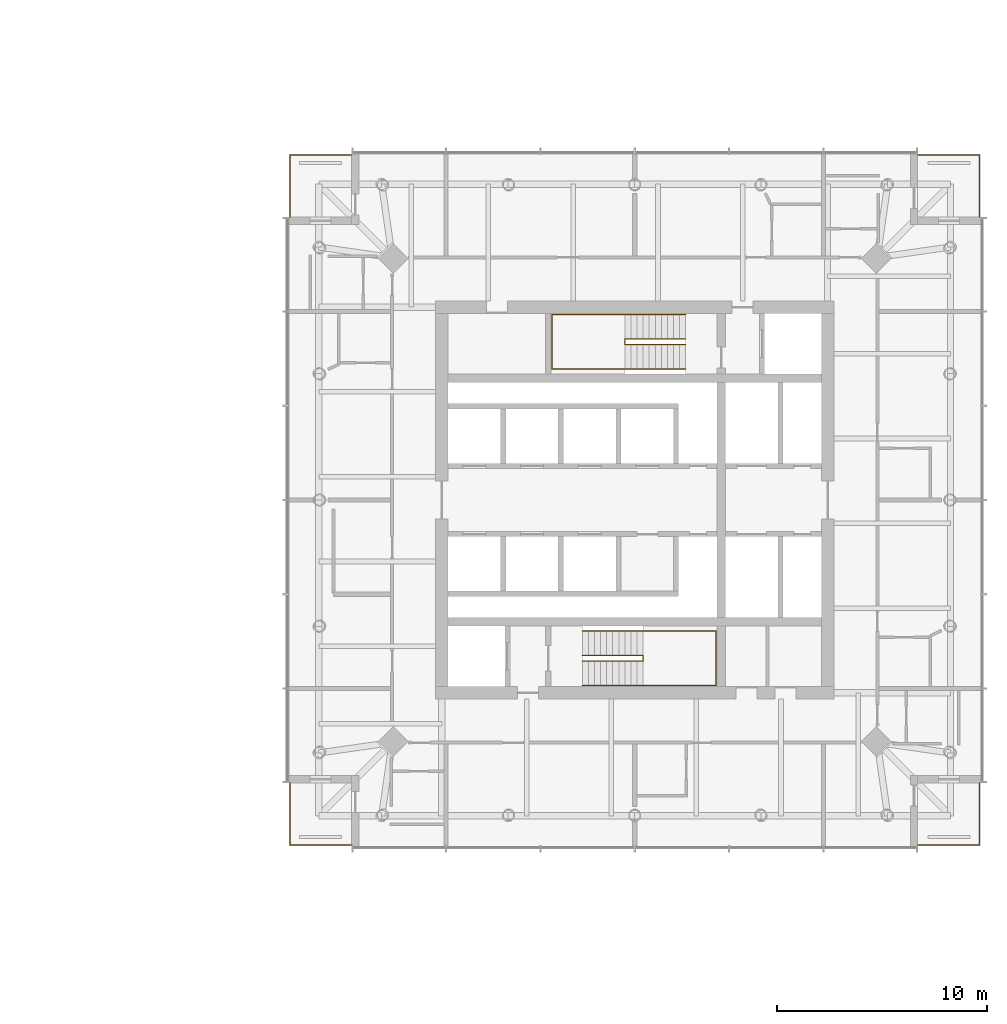
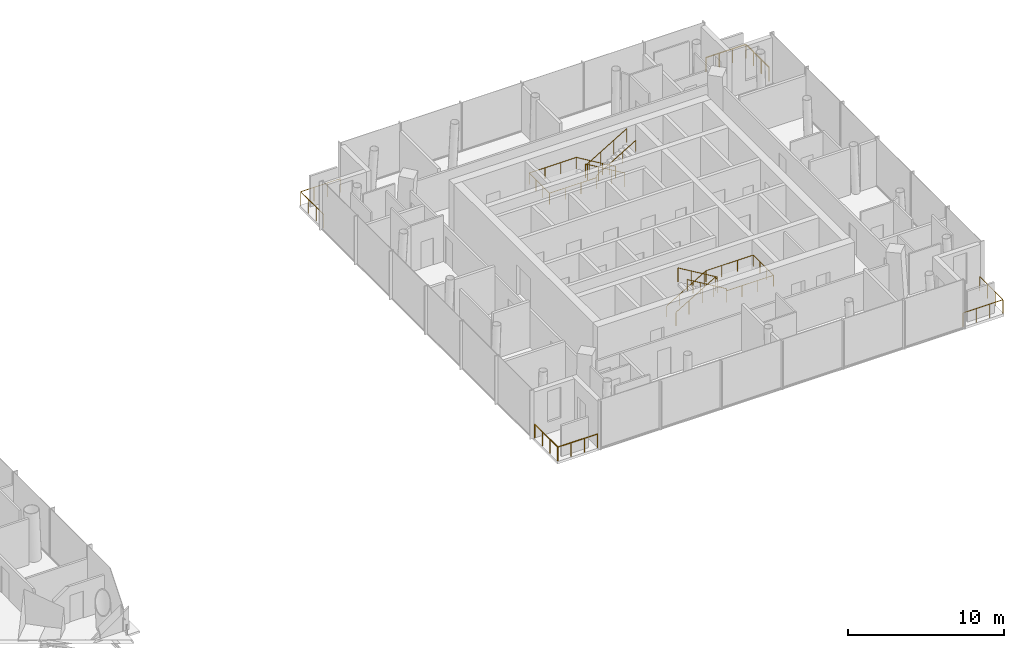
# One storey, part 27 of 27: 8 railings.
"""IFC4 building model written with IfcOpenShell, lengths in metres."""

from ifc_helpers import new_model, si_unit, direction, frame, origin, origin_2d, place, context, subcontext, project, spatial, circle, extrude, material, type_object, element, save


model = new_model("IFC4")

# Units and contexts
model_context = context("Model", 3, precision=1e-05, world=origin(), true_north=direction((0.0, 1.0)))
body_context = subcontext(model_context, "Body", "Model", "MODEL_VIEW")
ifc_project = project(units=[si_unit("LENGTHUNIT", "METRE"), si_unit("AREAUNIT", "SQUARE_METRE"), si_unit("VOLUMEUNIT", "CUBIC_METRE"), si_unit("PLANEANGLEUNIT", "RADIAN"), si_unit("MASSUNIT", "GRAM", prefix="KILO")], contexts=[model_context])

# Site, building, storey
site_placement = place(None, origin())
site = spatial("IfcSite", under=ifc_project, at=site_placement, CompositionType="ELEMENT")
building_placement = place(site_placement, origin())
building = spatial("IfcBuilding", under=site, at=building_placement, Name="Ostroluk Exchange", CompositionType="ELEMENT")
storey_placement = place(building_placement, frame((0.0, 0.0, 112.199951171875)))
storey = spatial("IfcBuildingStorey", under=building, at=storey_placement, Name="L28", CompositionType="ELEMENT", Elevation=112.199951171875)

# Railings
ifc_material_1 = material(Name="Stainless steel", Category="steel")
railing_type_1 = type_object("IfcRailingType", Name="Guard 1100 stainless steel", PredefinedType="GUARDRAIL", material=ifc_material_1)
railing_1_placement = place(storey_placement, frame((130.5, 29.550048828125, 0.0)))
element("IfcRailing", 1, at=railing_1_placement, inside=storey, type_object=railing_type_1, Name="Hotel tower SE balcony guard L28", PredefinedType="GUARDRAIL", context=body_context, shape_type="SweptSolid", body=[
    extrude(circle(Radius=0.02392578125, at=origin_2d()), frame((0.0, 0.0, 1.076171875), z_axis=(1.0, 0.0, 0.0), x_axis=(0.0, 1.0, 0.0)), (0.0, 0.0, 1.0), 2.949951171875),
    extrude(circle(Radius=0.02392578125, at=origin_2d()), frame((2.949951171875, 0.0, 1.076171875), z_axis=(0.0, 1.0, 0.0), x_axis=(-1.0, 0.0, 0.0)), (0.0, 0.0, 1.0), 2.949951171875),
    extrude(circle(Radius=0.02099609375, at=origin_2d()), origin(), (0.0, 0.0, 1.0), 1.052001953125),
    extrude(circle(Radius=0.02099609375, at=origin_2d()), frame((0.9833984375, 0.0, 0.0)), (0.0, 0.0, 1.0), 1.052001953125),
    extrude(circle(Radius=0.02099609375, at=origin_2d()), frame((1.966552734375, 0.0, 0.0)), (0.0, 0.0, 1.0), 1.052001953125),
    extrude(circle(Radius=0.02099609375, at=origin_2d()), frame((2.949951171875, 0.0, 0.0)), (0.0, 0.0, 1.0), 1.052001953125),
    extrude(circle(Radius=0.02099609375, at=origin_2d()), frame((2.949951171875, 0.9833984375, 0.0)), (0.0, 0.0, 1.0), 1.052001953125),
    extrude(circle(Radius=0.02099609375, at=origin_2d()), frame((2.949951171875, 1.966552734375, 0.0)), (0.0, 0.0, 1.0), 1.052001953125),
    extrude(circle(Radius=0.02099609375, at=origin_2d()), frame((2.949951171875, 2.949951171875, 0.0)), (0.0, 0.0, 1.0), 1.052001953125),
])
railing_2_placement = place(storey_placement, frame((130.5, 62.449951171875, 0.0)))
element("IfcRailing", 2, at=railing_2_placement, inside=storey, type_object=railing_type_1, Name="Hotel tower NE balcony guard L28", PredefinedType="GUARDRAIL", context=body_context, shape_type="SweptSolid", body=[
    extrude(circle(Radius=0.02392578125, at=origin_2d()), frame((0.0, 0.0, 1.076171875), z_axis=(1.0, 0.0, 0.0), x_axis=(0.0, 1.0, 0.0)), (0.0, 0.0, 1.0), 2.949951171875),
    extrude(circle(Radius=0.02392578125, at=origin_2d()), frame((2.949951171875, 0.0, 1.076171875), z_axis=(0.0, -1.0, 0.0), x_axis=(1.0, 0.0, 0.0)), (0.0, 0.0, 1.0), 2.949951171875),
    extrude(circle(Radius=0.02099609375, at=origin_2d()), origin(), (0.0, 0.0, 1.0), 1.052001953125),
    extrude(circle(Radius=0.02099609375, at=origin_2d()), frame((0.9833984375, 0.0, 0.0)), (0.0, 0.0, 1.0), 1.052001953125),
    extrude(circle(Radius=0.02099609375, at=origin_2d()), frame((1.966552734375, 0.0, 0.0)), (0.0, 0.0, 1.0), 1.052001953125),
    extrude(circle(Radius=0.02099609375, at=origin_2d()), frame((2.949951171875, 0.0, 0.0)), (0.0, 0.0, 1.0), 1.052001953125),
    extrude(circle(Radius=0.02099609375, at=origin_2d()), frame((2.949951171875, -0.9833984375, 0.0)), (0.0, 0.0, 1.0), 1.052001953125),
    extrude(circle(Radius=0.02099609375, at=origin_2d()), frame((2.949951171875, -1.966552734375, 0.0)), (0.0, 0.0, 1.0), 1.052001953125),
    extrude(circle(Radius=0.02099609375, at=origin_2d()), frame((2.949951171875, -2.949951171875, 0.0)), (0.0, 0.0, 1.0), 1.052001953125),
])
railing_3_placement = place(storey_placement, frame((103.5, 62.449951171875, 0.0)))
element("IfcRailing", 3, at=railing_3_placement, inside=storey, type_object=railing_type_1, Name="Hotel tower NW balcony guard L28", PredefinedType="GUARDRAIL", context=body_context, shape_type="SweptSolid", body=[
    extrude(circle(Radius=0.02392578125, at=origin_2d()), frame((0.0, 0.0, 1.076171875), z_axis=(-1.0, 0.0, 0.0), x_axis=(0.0, -1.0, 0.0)), (0.0, 0.0, 1.0), 2.949951171875),
    extrude(circle(Radius=0.02392578125, at=origin_2d()), frame((-2.949951171875, 0.0, 1.076171875), z_axis=(0.0, -1.0, 0.0), x_axis=(1.0, 0.0, 0.0)), (0.0, 0.0, 1.0), 2.949951171875),
    extrude(circle(Radius=0.02099609375, at=origin_2d()), origin(), (0.0, 0.0, 1.0), 1.052001953125),
    extrude(circle(Radius=0.02099609375, at=origin_2d()), frame((-0.9833984375, 0.0, 0.0)), (0.0, 0.0, 1.0), 1.052001953125),
    extrude(circle(Radius=0.02099609375, at=origin_2d()), frame((-1.966552734375, 0.0, 0.0)), (0.0, 0.0, 1.0), 1.052001953125),
    extrude(circle(Radius=0.02099609375, at=origin_2d()), frame((-2.949951171875, 0.0, 0.0)), (0.0, 0.0, 1.0), 1.052001953125),
    extrude(circle(Radius=0.02099609375, at=origin_2d()), frame((-2.949951171875, -0.9833984375, 0.0)), (0.0, 0.0, 1.0), 1.052001953125),
    extrude(circle(Radius=0.02099609375, at=origin_2d()), frame((-2.949951171875, -1.966552734375, 0.0)), (0.0, 0.0, 1.0), 1.052001953125),
    extrude(circle(Radius=0.02099609375, at=origin_2d()), frame((-2.949951171875, -2.949951171875, 0.0)), (0.0, 0.0, 1.0), 1.052001953125),
])
railing_4_placement = place(storey_placement, frame((103.5, 29.550048828125, 0.0)))
element("IfcRailing", 4, at=railing_4_placement, inside=storey, type_object=railing_type_1, Name="Hotel tower SW balcony guard L28", PredefinedType="GUARDRAIL", context=body_context, shape_type="SweptSolid", body=[
    extrude(circle(Radius=0.02392578125, at=origin_2d()), frame((0.0, 0.0, 1.076171875), z_axis=(-1.0, 0.0, 0.0), x_axis=(0.0, -1.0, 0.0)), (0.0, 0.0, 1.0), 2.949951171875),
    extrude(circle(Radius=0.02392578125, at=origin_2d()), frame((-2.949951171875, 0.0, 1.076171875), z_axis=(0.0, 1.0, 0.0), x_axis=(-1.0, 0.0, 0.0)), (0.0, 0.0, 1.0), 2.949951171875),
    extrude(circle(Radius=0.02099609375, at=origin_2d()), origin(), (0.0, 0.0, 1.0), 1.052001953125),
    extrude(circle(Radius=0.02099609375, at=origin_2d()), frame((-0.9833984375, 0.0, 0.0)), (0.0, 0.0, 1.0), 1.052001953125),
    extrude(circle(Radius=0.02099609375, at=origin_2d()), frame((-1.966552734375, 0.0, 0.0)), (0.0, 0.0, 1.0), 1.052001953125),
    extrude(circle(Radius=0.02099609375, at=origin_2d()), frame((-2.949951171875, 0.0, 0.0)), (0.0, 0.0, 1.0), 1.052001953125),
    extrude(circle(Radius=0.02099609375, at=origin_2d()), frame((-2.949951171875, 0.9833984375, 0.0)), (0.0, 0.0, 1.0), 1.052001953125),
    extrude(circle(Radius=0.02099609375, at=origin_2d()), frame((-2.949951171875, 1.966552734375, 0.0)), (0.0, 0.0, 1.0), 1.052001953125),
    extrude(circle(Radius=0.02099609375, at=origin_2d()), frame((-2.949951171875, 2.949951171875, 0.0)), (0.0, 0.0, 1.0), 1.052001953125),
])
ifc_material_2 = material(Name="Steel S355", Category="steel")
railing_type_2 = type_object("IfcRailingType", Name="Stair guard 1100", PredefinedType="GUARDRAIL", material=ifc_material_2)
railing_5_placement = place(storey_placement, frame((114.5, 38.580078125, 0.1728515625)))
element("IfcRailing", 5, at=railing_5_placement, inside=storey, type_object=railing_type_2, Name="Stair T2-S1 guard L28", PredefinedType="GUARDRAIL", context=body_context, shape_type="SweptSolid", body=[
    extrude(circle(Radius=0.02392578125, at=origin_2d()), frame((0.0, 0.0, 1.076171875), z_axis=(0.859141464434, 0.0, 0.511738159696), x_axis=(0.0, 1.0, 0.0)), (0.0, 0.0, 1.0), 3.375244140625),
    extrude(circle(Radius=0.02392578125, at=origin_2d()), frame((2.89990234375, 0.0, 2.80322265625), z_axis=(0.0, -1.0, 0.0), x_axis=(1.0, 0.0, 0.0)), (0.0, 0.0, 1.0), 0.260009765625),
    extrude(circle(Radius=0.02392578125, at=origin_2d()), frame((2.89990234375, -0.260009765625, 2.80322265625), z_axis=(0.0, 0.0, 1.0), x_axis=(1.0, 0.0, 0.0)), (0.0, 0.0, 1.0), 0.172607421875),
    extrude(circle(Radius=0.02392578125, at=origin_2d()), frame((2.89990234375, -0.260009765625, 2.97607421875), z_axis=(-0.859141464434, 0.0, 0.511738159696), x_axis=(0.0, -1.0, 0.0)), (0.0, 0.0, 1.0), 3.375244140625),
    extrude(circle(Radius=0.02099609375, at=origin_2d()), origin(), (0.0, 0.0, 1.0), 1.052001953125),
    extrude(circle(Radius=0.02099609375, at=origin_2d()), frame((0.966552734375, 0.0, 0.57568359375)), (0.0, 0.0, 1.0), 1.052001953125),
    extrude(circle(Radius=0.02099609375, at=origin_2d()), frame((1.933349609375, 0.0, 1.151611328125)), (0.0, 0.0, 1.0), 1.052001953125),
    extrude(circle(Radius=0.02099609375, at=origin_2d()), frame((2.89990234375, 0.0, 1.727294921875)), (0.0, 0.0, 1.0), 1.052001953125),
    extrude(circle(Radius=0.02099609375, at=origin_2d()), frame((2.89990234375, -0.260009765625, 1.727294921875)), (0.0, 0.0, 1.0), 1.052001953125),
    extrude(circle(Radius=0.02099609375, at=origin_2d()), frame((2.89990234375, -0.260009765625, 1.89990234375)), (0.0, 0.0, 1.0), 1.052001953125),
    extrude(circle(Radius=0.02099609375, at=origin_2d()), frame((1.933349609375, -0.260009765625, 2.4755859375)), (0.0, 0.0, 1.0), 1.052001953125),
    extrude(circle(Radius=0.02099609375, at=origin_2d()), frame((0.966552734375, -0.260009765625, 3.051513671875)), (0.0, 0.0, 1.0), 1.052001953125),
    extrude(circle(Radius=0.02099609375, at=origin_2d()), frame((0.0, -0.260009765625, 3.627197265625)), (0.0, 0.0, 1.0), 1.052001953125),
])
railing_6_placement = place(storey_placement, frame((119.429931640625, 53.679931640625, 0.1728515625)))
element("IfcRailing", 6, at=railing_6_placement, inside=storey, type_object=railing_type_2, Name="Stair T2-S2 guard L28", PredefinedType="GUARDRAIL", context=body_context, shape_type="SweptSolid", body=[
    extrude(circle(Radius=0.02392578125, at=origin_2d()), frame((0.0, 0.0, 1.076171875), z_axis=(-0.859141464434, 0.0, 0.511738159696), x_axis=(0.0, -1.0, 0.0)), (0.0, 0.0, 1.0), 3.375244140625),
    extrude(circle(Radius=0.02392578125, at=origin_2d()), frame((-2.89990234375, 0.0, 2.80322265625), z_axis=(0.0, -1.0, 0.0), x_axis=(1.0, 0.0, 0.0)), (0.0, 0.0, 1.0), 0.260009765625),
    extrude(circle(Radius=0.02392578125, at=origin_2d()), frame((-2.89990234375, -0.260009765625, 2.80322265625), z_axis=(0.0, 0.0, 1.0), x_axis=(1.0, 0.0, 0.0)), (0.0, 0.0, 1.0), 0.172607421875),
    extrude(circle(Radius=0.02392578125, at=origin_2d()), frame((-2.89990234375, -0.260009765625, 2.97607421875), z_axis=(0.859141464434, 0.0, 0.511738159696), x_axis=(0.0, 1.0, 0.0)), (0.0, 0.0, 1.0), 3.375244140625),
    extrude(circle(Radius=0.02099609375, at=origin_2d()), origin(), (0.0, 0.0, 1.0), 1.052001953125),
    extrude(circle(Radius=0.02099609375, at=origin_2d()), frame((-0.966552734375, 0.0, 0.57568359375)), (0.0, 0.0, 1.0), 1.052001953125),
    extrude(circle(Radius=0.02099609375, at=origin_2d()), frame((-1.933349609375, 0.0, 1.151611328125)), (0.0, 0.0, 1.0), 1.052001953125),
    extrude(circle(Radius=0.02099609375, at=origin_2d()), frame((-2.89990234375, 0.0, 1.727294921875)), (0.0, 0.0, 1.0), 1.052001953125),
    extrude(circle(Radius=0.02099609375, at=origin_2d()), frame((-2.89990234375, -0.260009765625, 1.727294921875)), (0.0, 0.0, 1.0), 1.052001953125),
    extrude(circle(Radius=0.02099609375, at=origin_2d()), frame((-2.89990234375, -0.260009765625, 1.89990234375)), (0.0, 0.0, 1.0), 1.052001953125),
    extrude(circle(Radius=0.02099609375, at=origin_2d()), frame((-1.933349609375, -0.260009765625, 2.4755859375)), (0.0, 0.0, 1.0), 1.052001953125),
    extrude(circle(Radius=0.02099609375, at=origin_2d()), frame((-0.966552734375, -0.260009765625, 3.051513671875)), (0.0, 0.0, 1.0), 1.052001953125),
    extrude(circle(Radius=0.02099609375, at=origin_2d()), frame((0.0, -0.260009765625, 3.627197265625)), (0.0, 0.0, 1.0), 1.052001953125),
])
ifc_material_3 = material(Name="Stainless steel", Category="steel")
railing_type_3 = type_object("IfcRailingType", Name="Stair handrail 900", PredefinedType="HANDRAIL", material=ifc_material_3)
railing_7_placement = place(storey_placement, frame((114.5, 39.75, 0.1728515625)))
element("IfcRailing", 7, at=railing_7_placement, inside=storey, type_object=railing_type_3, Name="Stair T2-S1 handrail L28", PredefinedType="HANDRAIL", context=body_context, shape_type="SweptSolid", body=[
    extrude(circle(Radius=0.02392578125, at=origin_2d()), frame((0.0, 0.0, 0.8759765625), z_axis=(0.859141464434, 0.0, 0.511738159696), x_axis=(0.0, 1.0, 0.0)), (0.0, 0.0, 1.0), 3.375244140625),
    extrude(circle(Radius=0.02392578125, at=origin_2d()), frame((2.89990234375, 0.0, 2.60302734375), z_axis=(1.0, 0.0, 0.0), x_axis=(0.0, 1.0, 0.0)), (0.0, 0.0, 1.0), 3.47998046875),
    extrude(circle(Radius=0.02392578125, at=origin_2d()), frame((6.3798828125, 0.0, 2.60302734375), z_axis=(0.0, -1.0, 0.0), x_axis=(1.0, 0.0, 0.0)), (0.0, 0.0, 1.0), 2.60009765625),
    extrude(circle(Radius=0.02392578125, at=origin_2d()), frame((6.3798828125, -2.60009765625, 2.60302734375), z_axis=(-1.0, 0.0, 0.0), x_axis=(0.0, -1.0, 0.0)), (0.0, 0.0, 1.0), 3.47998046875),
    extrude(circle(Radius=0.02392578125, at=origin_2d()), frame((2.89990234375, -2.60009765625, 2.60302734375), z_axis=(0.0, 0.0, 1.0), x_axis=(1.0, 0.0, 0.0)), (0.0, 0.0, 1.0), 0.172607421875),
    extrude(circle(Radius=0.02392578125, at=origin_2d()), frame((2.89990234375, -2.60009765625, 2.77587890625), z_axis=(-0.859141464434, 0.0, 0.511738159696), x_axis=(0.0, -1.0, 0.0)), (0.0, 0.0, 1.0), 3.375244140625),
    extrude(circle(Radius=0.02099609375, at=origin_2d()), origin(), (0.0, 0.0, 1.0), 0.851806640625),
    extrude(circle(Radius=0.02099609375, at=origin_2d()), frame((0.966552734375, 0.0, 0.57568359375)), (0.0, 0.0, 1.0), 0.851806640625),
    extrude(circle(Radius=0.02099609375, at=origin_2d()), frame((1.933349609375, 0.0, 1.151611328125)), (0.0, 0.0, 1.0), 0.851806640625),
    extrude(circle(Radius=0.02099609375, at=origin_2d()), frame((2.89990234375, 0.0, 1.727294921875)), (0.0, 0.0, 1.0), 0.851806640625),
    extrude(circle(Radius=0.02099609375, at=origin_2d()), frame((4.059814453125, 0.0, 1.727294921875)), (0.0, 0.0, 1.0), 0.851806640625),
    extrude(circle(Radius=0.02099609375, at=origin_2d()), frame((5.219970703125, 0.0, 1.727294921875)), (0.0, 0.0, 1.0), 0.851806640625),
    extrude(circle(Radius=0.02099609375, at=origin_2d()), frame((6.3798828125, 0.0, 1.727294921875)), (0.0, 0.0, 1.0), 0.851806640625),
    extrude(circle(Radius=0.02099609375, at=origin_2d()), frame((6.3798828125, -0.86669921875, 1.727294921875)), (0.0, 0.0, 1.0), 0.851806640625),
    extrude(circle(Radius=0.02099609375, at=origin_2d()), frame((6.3798828125, -1.7333984375, 1.727294921875)), (0.0, 0.0, 1.0), 0.851806640625),
    extrude(circle(Radius=0.02099609375, at=origin_2d()), frame((6.3798828125, -2.60009765625, 1.727294921875)), (0.0, 0.0, 1.0), 0.851806640625),
    extrude(circle(Radius=0.02099609375, at=origin_2d()), frame((5.219970703125, -2.60009765625, 1.727294921875)), (0.0, 0.0, 1.0), 0.851806640625),
    extrude(circle(Radius=0.02099609375, at=origin_2d()), frame((4.059814453125, -2.60009765625, 1.727294921875)), (0.0, 0.0, 1.0), 0.851806640625),
    extrude(circle(Radius=0.02099609375, at=origin_2d()), frame((2.89990234375, -2.60009765625, 1.727294921875)), (0.0, 0.0, 1.0), 0.851806640625),
    extrude(circle(Radius=0.02099609375, at=origin_2d()), frame((2.89990234375, -2.60009765625, 1.89990234375)), (0.0, 0.0, 1.0), 0.851806640625),
    extrude(circle(Radius=0.02099609375, at=origin_2d()), frame((1.933349609375, -2.60009765625, 2.4755859375)), (0.0, 0.0, 1.0), 0.851806640625),
    extrude(circle(Radius=0.02099609375, at=origin_2d()), frame((0.966552734375, -2.60009765625, 3.051513671875)), (0.0, 0.0, 1.0), 0.851806640625),
    extrude(circle(Radius=0.02099609375, at=origin_2d()), frame((0.0, -2.60009765625, 3.627197265625)), (0.0, 0.0, 1.0), 0.851806640625),
])
railing_8_placement = place(storey_placement, frame((119.429931640625, 54.85009765625, 0.1728515625)))
element("IfcRailing", 8, at=railing_8_placement, inside=storey, type_object=railing_type_3, Name="Stair T2-S2 handrail L28", PredefinedType="HANDRAIL", context=body_context, shape_type="SweptSolid", body=[
    extrude(circle(Radius=0.02392578125, at=origin_2d()), frame((0.0, 0.0, 0.8759765625), z_axis=(-0.859141464434, 0.0, 0.511738159696), x_axis=(0.0, -1.0, 0.0)), (0.0, 0.0, 1.0), 3.375244140625),
    extrude(circle(Radius=0.02392578125, at=origin_2d()), frame((-2.89990234375, 0.0, 2.60302734375), z_axis=(-1.0, 0.0, 0.0), x_axis=(0.0, -1.0, 0.0)), (0.0, 0.0, 1.0), 3.47998046875),
    extrude(circle(Radius=0.02392578125, at=origin_2d()), frame((-6.3798828125, 0.0, 2.60302734375), z_axis=(0.0, -1.0, 0.0), x_axis=(1.0, 0.0, 0.0)), (0.0, 0.0, 1.0), 2.60009765625),
    extrude(circle(Radius=0.02392578125, at=origin_2d()), frame((-6.3798828125, -2.60009765625, 2.60302734375), z_axis=(1.0, 0.0, 0.0), x_axis=(0.0, 1.0, 0.0)), (0.0, 0.0, 1.0), 3.47998046875),
    extrude(circle(Radius=0.02392578125, at=origin_2d()), frame((-2.89990234375, -2.60009765625, 2.60302734375), z_axis=(0.0, 0.0, 1.0), x_axis=(1.0, 0.0, 0.0)), (0.0, 0.0, 1.0), 0.172607421875),
    extrude(circle(Radius=0.02392578125, at=origin_2d()), frame((-2.89990234375, -2.60009765625, 2.77587890625), z_axis=(0.859141464434, 0.0, 0.511738159696), x_axis=(0.0, 1.0, 0.0)), (0.0, 0.0, 1.0), 3.375244140625),
    extrude(circle(Radius=0.02099609375, at=origin_2d()), origin(), (0.0, 0.0, 1.0), 0.851806640625),
    extrude(circle(Radius=0.02099609375, at=origin_2d()), frame((-0.966552734375, 0.0, 0.57568359375)), (0.0, 0.0, 1.0), 0.851806640625),
    extrude(circle(Radius=0.02099609375, at=origin_2d()), frame((-1.933349609375, 0.0, 1.151611328125)), (0.0, 0.0, 1.0), 0.851806640625),
    extrude(circle(Radius=0.02099609375, at=origin_2d()), frame((-2.89990234375, 0.0, 1.727294921875)), (0.0, 0.0, 1.0), 0.851806640625),
    extrude(circle(Radius=0.02099609375, at=origin_2d()), frame((-4.059814453125, 0.0, 1.727294921875)), (0.0, 0.0, 1.0), 0.851806640625),
    extrude(circle(Radius=0.02099609375, at=origin_2d()), frame((-5.219970703125, 0.0, 1.727294921875)), (0.0, 0.0, 1.0), 0.851806640625),
    extrude(circle(Radius=0.02099609375, at=origin_2d()), frame((-6.3798828125, 0.0, 1.727294921875)), (0.0, 0.0, 1.0), 0.851806640625),
    extrude(circle(Radius=0.02099609375, at=origin_2d()), frame((-6.3798828125, -0.86669921875, 1.727294921875)), (0.0, 0.0, 1.0), 0.851806640625),
    extrude(circle(Radius=0.02099609375, at=origin_2d()), frame((-6.3798828125, -1.7333984375, 1.727294921875)), (0.0, 0.0, 1.0), 0.851806640625),
    extrude(circle(Radius=0.02099609375, at=origin_2d()), frame((-6.3798828125, -2.60009765625, 1.727294921875)), (0.0, 0.0, 1.0), 0.851806640625),
    extrude(circle(Radius=0.02099609375, at=origin_2d()), frame((-5.219970703125, -2.60009765625, 1.727294921875)), (0.0, 0.0, 1.0), 0.851806640625),
    extrude(circle(Radius=0.02099609375, at=origin_2d()), frame((-4.059814453125, -2.60009765625, 1.727294921875)), (0.0, 0.0, 1.0), 0.851806640625),
    extrude(circle(Radius=0.02099609375, at=origin_2d()), frame((-2.89990234375, -2.60009765625, 1.727294921875)), (0.0, 0.0, 1.0), 0.851806640625),
    extrude(circle(Radius=0.02099609375, at=origin_2d()), frame((-2.89990234375, -2.60009765625, 1.89990234375)), (0.0, 0.0, 1.0), 0.851806640625),
    extrude(circle(Radius=0.02099609375, at=origin_2d()), frame((-1.933349609375, -2.60009765625, 2.4755859375)), (0.0, 0.0, 1.0), 0.851806640625),
    extrude(circle(Radius=0.02099609375, at=origin_2d()), frame((-0.966552734375, -2.60009765625, 3.051513671875)), (0.0, 0.0, 1.0), 0.851806640625),
    extrude(circle(Radius=0.02099609375, at=origin_2d()), frame((0.0, -2.60009765625, 3.627197265625)), (0.0, 0.0, 1.0), 0.851806640625),
])

save(model, "model.ifc")
